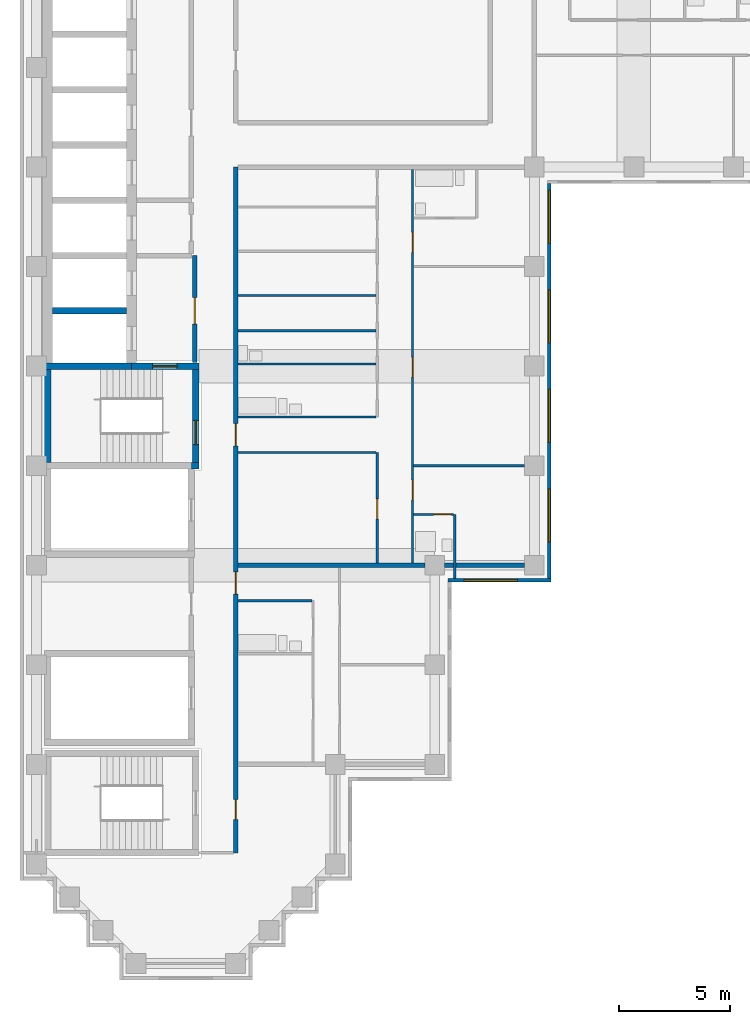
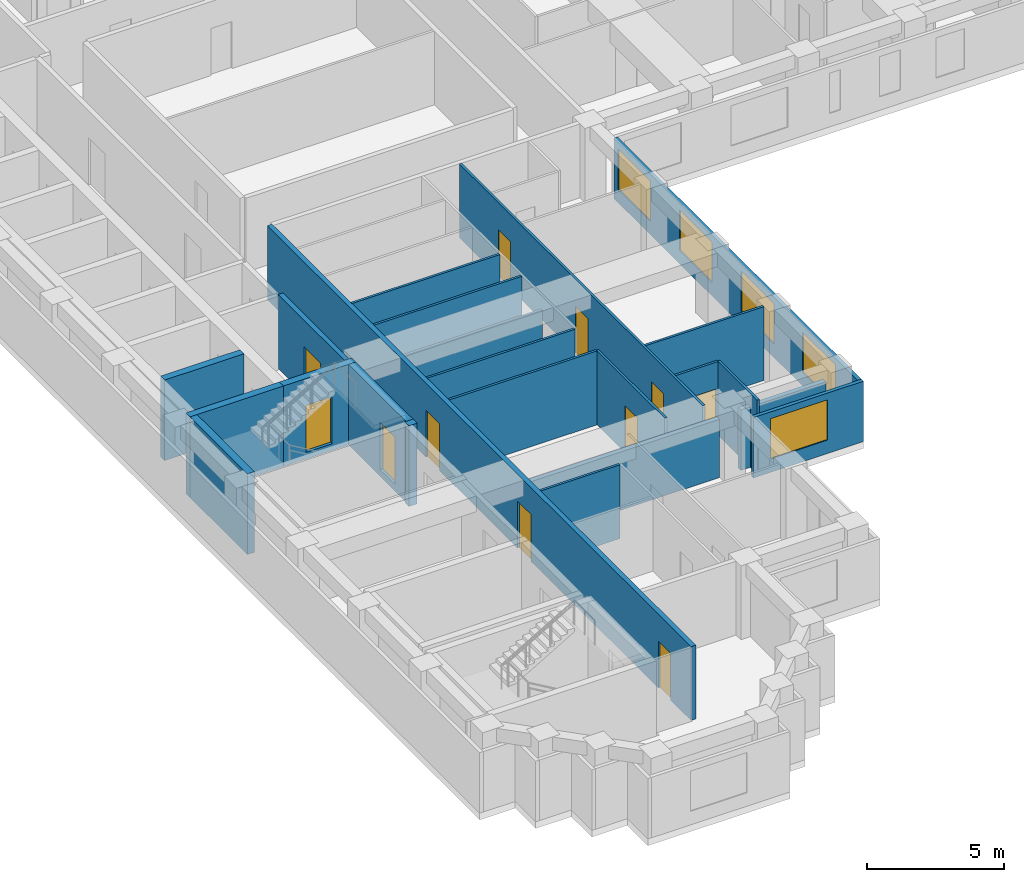
# One storey, part 3 of 10: 23 walls, 11 doors, 5 windows, 16 openings.
"""IFC4 building model written with IfcOpenShell, lengths in metres."""

from ifc_helpers import new_model, si_unit, direction, frame, frame_2d, origin, place, context, subcontext, project, spatial, rectangle, extrude, material, layer, layer_set, type_object, element, fill, save


model = new_model("IFC4")

# Units and contexts
model_context = context("Model", 3, precision=1e-05, world=origin(), true_north=direction((0.0, 1.0)))
body_context = subcontext(model_context, "Body", "Model", "MODEL_VIEW")
ifc_project = project(units=[si_unit("LENGTHUNIT", "METRE"), si_unit("AREAUNIT", "SQUARE_METRE"), si_unit("VOLUMEUNIT", "CUBIC_METRE"), si_unit("PLANEANGLEUNIT", "RADIAN"), si_unit("MASSUNIT", "GRAM", prefix="KILO")], contexts=[model_context])

# Site, building, storey
site_placement = place(None, origin())
site = spatial("IfcSite", under=ifc_project, at=site_placement, CompositionType="ELEMENT")
building_placement = place(site_placement, origin())
building = spatial("IfcBuilding", under=site, at=building_placement, Name="Firuza Court", CompositionType="ELEMENT")
storey_placement = place(building_placement, frame((0.0, 0.0, 204.199951171875)))
storey = spatial("IfcBuildingStorey", under=building, at=storey_placement, Name="L52", CompositionType="ELEMENT", Elevation=204.199951171875)

# Walls
ifc_material_1 = material(Name="Moisture-resistant gypsum board partition")
ifc_layer_1 = layer(ifc_material_1, 0.10009765625)
ifc_layer_set_1 = layer_set([ifc_layer_1], Name="Moisture-resistant gypsum board partition")
wall_type_1 = type_object("IfcWallType", Name="Bathroom partition 100", PredefinedType="PLUMBINGWALL", material=ifc_layer_set_1)
wall_1_placement = place(storey_placement, frame((9.10009765625, 16.39990234375, 0.0), z_axis=(0.0, 0.0, 1.0), x_axis=(1.0, 0.0, 0.0)))
element("IfcWall", 1, at=wall_1_placement, inside=storey, type_object=wall_type_1, Name="Bathroom partition 100 L52", PredefinedType="PLUMBINGWALL", context=body_context, shape_type="SweptSolid", body=[
    extrude(rectangle(XDim=3.349853515625, YDim=0.10009765625, at=frame_2d((1.6748046875, 0.0))), origin(), (0.0, 0.0, 1.0), 3.300048828125),
])
wall_2_placement = place(storey_placement, frame((18.89990234375, 17.39990234375, 0.0), z_axis=(0.0, 0.0, 1.0), x_axis=(0.0, 1.0, 0.0)))
element("IfcWall", 2, at=wall_2_placement, inside=storey, type_object=wall_type_1, Name="Bathroom partition 100 L52", PredefinedType="PLUMBINGWALL", context=body_context, shape_type="SweptSolid", body=[
    extrude(rectangle(XDim=2.900146484375, YDim=0.10009765625, at=frame_2d((1.4501953125, 0.0))), origin(), (0.0, 0.0, 1.0), 3.300048828125),
])

# Wall, opening, door
wall_3_placement = place(storey_placement, frame((17.050048828125, 20.300048828125, 0.0), z_axis=(0.0, 0.0, 1.0), x_axis=(1.0, 0.0, 0.0)))
wall_3 = element("IfcWall", 3, at=wall_3_placement, inside=storey, type_object=wall_type_1, Name="Bathroom partition 100 L52", PredefinedType="PLUMBINGWALL", context=body_context, shape_type="SweptSolid", body=[
    extrude(rectangle(XDim=1.800048828125, YDim=0.10009765625, at=frame_2d((0.89990234375, 0.0))), origin(), (0.0, 0.0, 1.0), 3.300048828125),
])
opening_1_placement = place(wall_3_placement, frame((0.89990234375, 0.0, 0.0)))
opening_1 = element("IfcOpeningElement", 4, at=opening_1_placement, cuts=wall_3, Name="Opening D52028", PredefinedType="OPENING", context=body_context, shape_type="SweptSolid", body=[
    extrude(rectangle(XDim=0.800048828125, YDim=2.10009765625, at=frame_2d((0.39990234375, 1.050048828125))), frame((0.0, 0.06201171875, 0.0), z_axis=(0.0, -1.0, 0.0), x_axis=(1.0, 0.0, 0.0)), (0.0, 0.0, 1.0), 0.1240234375),
])
ifc_material_2 = material(Name="Timber door leaf in hardwood frame", Category="wood")
door_type_1 = type_object("IfcDoorType", Name="Bathroom door 800", OperationType="SINGLE_SWING_LEFT", PredefinedType="DOOR", material=ifc_material_2)
door_1_placement = place(opening_1_placement, frame((0.800048828125, 0.0, 0.0), z_axis=(0.0, 0.0, 1.0), x_axis=(-1.0, 0.0, 0.0)))
door_1 = element("IfcDoor", 5, at=door_1_placement, inside=storey, type_object=door_type_1, Name="En-suite door", OperationType="SINGLE_SWING_LEFT", OverallHeight=2.10009765625, OverallWidth=0.800048828125, PredefinedType="DOOR", context=body_context, shape_type="SweptSolid", body=[
    extrude(rectangle(XDim=0.800048828125, YDim=2.10009765625, at=frame_2d((0.39990234375, 1.050048828125))), frame((0.0, 0.02490234375, 0.0), z_axis=(0.0, -1.0, 0.0), x_axis=(1.0, 0.0, 0.0)), (0.0, 0.0, 1.0), 0.050048828125),
])
fill(opening_1, door_1)

# Walls
wall_4_placement = place(storey_placement, frame((9.10009765625, 24.699951171875, 0.0), z_axis=(0.0, 0.0, 1.0), x_axis=(1.0, 0.0, 0.0)))
element("IfcWall", 6, at=wall_4_placement, inside=storey, type_object=wall_type_1, Name="Bathroom partition 100 L52", PredefinedType="PLUMBINGWALL", context=body_context, shape_type="SweptSolid", body=[
    extrude(rectangle(XDim=6.25, YDim=0.10009765625, at=frame_2d((3.125, 0.0))), origin(), (0.0, 0.0, 1.0), 3.300048828125),
])
wall_5_placement = place(storey_placement, frame((9.10009765625, 27.10009765625, 0.0), z_axis=(0.0, 0.0, 1.0), x_axis=(1.0, 0.0, 0.0)))
element("IfcWall", 7, at=wall_5_placement, inside=storey, type_object=wall_type_1, Name="Bathroom partition 100 L52", PredefinedType="PLUMBINGWALL", context=body_context, shape_type="SweptSolid", body=[
    extrude(rectangle(XDim=6.25, YDim=0.10009765625, at=frame_2d((3.125, 0.0))), origin(), (0.0, 0.0, 1.0), 2.699951171875),
])
wall_6_placement = place(storey_placement, frame((9.10009765625, 28.60009765625, 0.0), z_axis=(0.0, 0.0, 1.0), x_axis=(1.0, 0.0, 0.0)))
element("IfcWall", 8, at=wall_6_placement, inside=storey, type_object=wall_type_1, Name="Bathroom partition 100 L52", PredefinedType="PLUMBINGWALL", context=body_context, shape_type="SweptSolid", body=[
    extrude(rectangle(XDim=6.25, YDim=0.10009765625, at=frame_2d((3.125, 0.0))), origin(), (0.0, 0.0, 1.0), 3.300048828125),
])
ifc_material_3 = material(Name="Concrete C50/60", Category="concrete")
ifc_layer_2 = layer(ifc_material_3, 0.300048828125)
ifc_layer_set_2 = layer_set([ifc_layer_2], Name="Concrete C50/60")
wall_type_2 = type_object("IfcWallType", Name="Core wall 300 C50/60", PredefinedType="SHEAR", material=ifc_layer_set_2)
wall_7_placement = place(storey_placement, frame((0.35009765625, 27.0, -0.300048828125), z_axis=(0.0, 0.0, 1.0), x_axis=(1.0, 0.0, 0.0)))
element("IfcWall", 9, at=wall_7_placement, inside=storey, type_object=wall_type_2, Name="Core wall lift shaft L52", PredefinedType="SHEAR", context=body_context, shape_type="SweptSolid", body=[
    extrude(rectangle(XDim=3.949951171875, YDim=0.300048828125, at=frame_2d((1.97509765625, 0.0))), origin(), (0.0, 0.0, 1.0), 3.60009765625),
])
wall_8_placement = place(storey_placement, frame((0.5, 22.64990234375, -0.300048828125), z_axis=(0.0, 0.0, 1.0), x_axis=(0.0, 1.0, 0.0)))
element("IfcWall", 10, at=wall_8_placement, inside=storey, type_object=wall_type_2, Name="Core wall stair L52", PredefinedType="SHEAR", context=body_context, shape_type="SweptSolid", body=[
    extrude(rectangle(XDim=4.2001953125, YDim=0.300048828125, at=frame_2d((2.10009765625, 0.0))), origin(), (0.0, 0.0, 1.0), 3.60009765625),
])
wall_9_placement = place(storey_placement, frame((0.72509765625, 29.5, -0.300048828125), z_axis=(0.0, 0.0, 1.0), x_axis=(1.0, 0.0, 0.0)))
element("IfcWall", 11, at=wall_9_placement, inside=storey, type_object=wall_type_2, Name="Core wall lift shaft L52", PredefinedType="SHEAR", context=body_context, shape_type="SweptSolid", body=[
    extrude(rectangle(XDim=3.349853515625, YDim=0.300048828125, at=frame_2d((1.6748046875, 0.0))), origin(), (0.0, 0.0, 1.0), 3.60009765625),
])

# Wall, opening, door
wall_10_placement = place(storey_placement, frame((4.300048828125, 27.0, -0.300048828125), z_axis=(0.0, 0.0, 1.0), x_axis=(1.0, 0.0, 0.0)))
wall_10 = element("IfcWall", 12, at=wall_10_placement, inside=storey, type_object=wall_type_2, Name="Core wall stair L52", PredefinedType="SHEAR", context=body_context, shape_type="SweptSolid", body=[
    extrude(rectangle(XDim=3.050048828125, YDim=0.300048828125, at=frame_2d((1.52490234375, 0.0))), origin(), (0.0, 0.0, 1.0), 3.60009765625),
])
opening_2_placement = place(wall_10_placement, frame((0.949951171875, 0.0, 0.300048828125)))
opening_2 = element("IfcOpeningElement", 13, at=opening_2_placement, cuts=wall_10, Name="Opening D52012", PredefinedType="OPENING", context=body_context, shape_type="SweptSolid", body=[
    extrude(rectangle(XDim=1.10009765625, YDim=2.10009765625, at=frame_2d((0.550048828125, 1.050048828125))), frame((0.0, 0.162109375, 0.0), z_axis=(0.0, -1.0, 0.0), x_axis=(1.0, 0.0, 0.0)), (0.0, 0.0, 1.0), 0.323974609375),
])
ifc_material_4 = material(Name="Timber door leaf in hardwood frame", Category="wood")
door_type_2 = type_object("IfcDoorType", Name="Stair door 1100", OperationType="SINGLE_SWING_LEFT", PredefinedType="DOOR", material=ifc_material_4)
door_2_placement = place(opening_2_placement, frame((1.10009765625, 0.0, 0.0), z_axis=(0.0, 0.0, 1.0), x_axis=(-1.0, 0.0, 0.0)))
door_2 = element("IfcDoor", 14, at=door_2_placement, inside=storey, type_object=door_type_2, Name="Fire-fighting lobby door", OperationType="SINGLE_SWING_LEFT", OverallHeight=2.10009765625, OverallWidth=1.10009765625, PredefinedType="DOOR", context=body_context, shape_type="SweptSolid", body=[
    extrude(rectangle(XDim=1.10009765625, YDim=2.10009765625, at=frame_2d((0.550048828125, 1.050048828125))), frame((0.0, 0.02490234375, 0.0), z_axis=(0.0, -1.0, 0.0), x_axis=(1.0, 0.0, 0.0)), (0.0, 0.0, 1.0), 0.050048828125),
])
fill(opening_2, door_2)

# Wall
wall_11_placement = place(storey_placement, frame((7.0, 22.5, -0.300048828125), z_axis=(0.0, 0.0, 1.0), x_axis=(1.0, 0.0, 0.0)))
element("IfcWall", 15, at=wall_11_placement, inside=storey, type_object=wall_type_2, Name="Core wall stair L52", PredefinedType="SHEAR", context=body_context, shape_type="SweptSolid", body=[
    extrude(rectangle(XDim=0.35009765625, YDim=0.300048828125, at=frame_2d((0.175048828125, 0.0))), origin(), (0.0, 0.0, 1.0), 3.60009765625),
])

# Wall, opening, door
wall_12_placement = place(storey_placement, frame((7.199951171875, 22.64990234375, -0.300048828125), z_axis=(0.0, 0.0, 1.0), x_axis=(0.0, 1.0, 0.0)))
wall_12 = element("IfcWall", 16, at=wall_12_placement, inside=storey, type_object=wall_type_2, Name="Core wall stair L52", PredefinedType="SHEAR", context=body_context, shape_type="SweptSolid", body=[
    extrude(rectangle(XDim=4.2001953125, YDim=0.300048828125, at=frame_2d((2.10009765625, 0.0))), origin(), (0.0, 0.0, 1.0), 3.60009765625),
])
opening_3_placement = place(wall_12_placement, frame((0.800048828125, 0.0, 0.300048828125)))
opening_3 = element("IfcOpeningElement", 17, at=opening_3_placement, cuts=wall_12, Name="Opening D52013", PredefinedType="OPENING", context=body_context, shape_type="SweptSolid", body=[
    extrude(rectangle(XDim=1.10009765625, YDim=2.10009765625, at=frame_2d((0.550048828125, 1.050048828125))), frame((0.0, 0.162109375, 0.0), z_axis=(0.0, -1.0, 0.0), x_axis=(1.0, 0.0, 0.0)), (0.0, 0.0, 1.0), 0.323974609375),
])
door_3_placement = place(opening_3_placement, origin())
door_3 = element("IfcDoor", 18, at=door_3_placement, inside=storey, type_object=door_type_2, Name="Stair door S2", OperationType="SINGLE_SWING_LEFT", OverallHeight=2.10009765625, OverallWidth=1.10009765625, PredefinedType="DOOR", context=body_context, shape_type="SweptSolid", body=[
    extrude(rectangle(XDim=1.10009765625, YDim=2.10009765625, at=frame_2d((0.550048828125, 1.050048828125))), frame((0.0, 0.02490234375, 0.0), z_axis=(0.0, -1.0, 0.0), x_axis=(1.0, 0.0, 0.0)), (0.0, 0.0, 1.0), 0.050048828125),
])
fill(opening_3, door_3)

# Wall, openings, doors
ifc_material_5 = material(Name="Blockwork, plastered both sides", Category="masonry")
ifc_layer_3 = layer(ifc_material_5, 0.199951171875)
ifc_layer_set_3 = layer_set([ifc_layer_3], Name="Blockwork, plastered both sides")
wall_type_3 = type_object("IfcWallType", Name="Corridor wall 200", PredefinedType="PARTITIONING", material=ifc_layer_set_3)
wall_13_placement = place(storey_placement, frame((9.0, 5.0, 0.0), z_axis=(0.0, 0.0, 1.0), x_axis=(0.0, 1.0, 0.0)))
wall_13 = element("IfcWall", 19, at=wall_13_placement, inside=storey, type_object=wall_type_3, Name="Corridor wall 200 L52", PredefinedType="PARTITIONING", context=body_context, shape_type="SweptSolid", body=[
    extrude(rectangle(XDim=31.0, YDim=0.199951171875, at=frame_2d((15.5, 0.0))), origin(), (0.0, 0.0, 1.0), 3.300048828125),
])
opening_4_placement = place(wall_13_placement, frame((18.39990234375, 0.0, 0.0)))
opening_4 = element("IfcOpeningElement", 20, at=opening_4_placement, cuts=wall_13, Name="Opening D52016", PredefinedType="OPENING", context=body_context, shape_type="SweptSolid", body=[
    extrude(rectangle(XDim=1.0, YDim=2.10009765625, at=frame_2d((0.5, 1.050048828125))), frame((0.0, 0.11181640625, 0.0), z_axis=(0.0, -1.0, 0.0), x_axis=(1.0, 0.0, 0.0)), (0.0, 0.0, 1.0), 0.223876953125),
])
opening_5_placement = place(wall_13_placement, frame((11.699951171875, 0.0, 0.0)))
opening_5 = element("IfcOpeningElement", 21, at=opening_5_placement, cuts=wall_13, Name="Opening D52017", PredefinedType="OPENING", context=body_context, shape_type="SweptSolid", body=[
    extrude(rectangle(XDim=1.0, YDim=2.10009765625, at=frame_2d((0.5, 1.050048828125))), frame((0.0, 0.11181640625, 0.0), z_axis=(0.0, -1.0, 0.0), x_axis=(1.0, 0.0, 0.0)), (0.0, 0.0, 1.0), 0.223876953125),
])
opening_6_placement = place(wall_13_placement, frame((1.5, 0.0, 0.0)))
opening_6 = element("IfcOpeningElement", 22, at=opening_6_placement, cuts=wall_13, Name="Opening D52018", PredefinedType="OPENING", context=body_context, shape_type="SweptSolid", body=[
    extrude(rectangle(XDim=0.89990234375, YDim=2.10009765625, at=frame_2d((0.449951171875, 1.050048828125))), frame((0.0, 0.11181640625, 0.0), z_axis=(0.0, -1.0, 0.0), x_axis=(1.0, 0.0, 0.0)), (0.0, 0.0, 1.0), 0.223876953125),
])
ifc_material_6 = material(Name="Timber door leaf in hardwood frame", Category="wood")
door_type_3 = type_object("IfcDoorType", Name="Flat entrance door 1000", OperationType="SINGLE_SWING_LEFT", PredefinedType="DOOR", material=ifc_material_6)
door_4_placement = place(opening_4_placement, origin())
door_4 = element("IfcDoor", 23, at=door_4_placement, inside=storey, type_object=door_type_3, Name="Flat entrance door", OperationType="SINGLE_SWING_LEFT", OverallHeight=2.10009765625, OverallWidth=1.0, PredefinedType="DOOR", context=body_context, shape_type="SweptSolid", body=[
    extrude(rectangle(XDim=1.0, YDim=2.10009765625, at=frame_2d((0.5, 1.050048828125))), frame((0.0, 0.02490234375, 0.0), z_axis=(0.0, -1.0, 0.0), x_axis=(1.0, 0.0, 0.0)), (0.0, 0.0, 1.0), 0.050048828125),
])
fill(opening_4, door_4)
door_5_placement = place(opening_5_placement, origin())
door_5 = element("IfcDoor", 24, at=door_5_placement, inside=storey, type_object=door_type_3, Name="Flat entrance door", OperationType="SINGLE_SWING_LEFT", OverallHeight=2.10009765625, OverallWidth=1.0, PredefinedType="DOOR", context=body_context, shape_type="SweptSolid", body=[
    extrude(rectangle(XDim=1.0, YDim=2.10009765625, at=frame_2d((0.5, 1.050048828125))), frame((0.0, 0.02490234375, 0.0), z_axis=(0.0, -1.0, 0.0), x_axis=(1.0, 0.0, 0.0)), (0.0, 0.0, 1.0), 0.050048828125),
])
fill(opening_5, door_5)
ifc_material_7 = material(Name="Timber door leaf in hardwood frame", Category="wood")
door_type_4 = type_object("IfcDoorType", Name="Room door 900 EI 30", OperationType="SINGLE_SWING_LEFT", PredefinedType="DOOR", material=ifc_material_7)
door_6_placement = place(opening_6_placement, frame((0.89990234375, 0.0, 0.0), z_axis=(0.0, 0.0, 1.0), x_axis=(-1.0, 0.0, 0.0)))
door_6 = element("IfcDoor", 25, at=door_6_placement, inside=storey, type_object=door_type_4, Name="Music room door", OperationType="SINGLE_SWING_LEFT", OverallHeight=2.10009765625, OverallWidth=0.89990234375, PredefinedType="DOOR", context=body_context, shape_type="SweptSolid", body=[
    extrude(rectangle(XDim=0.89990234375, YDim=2.10009765625, at=frame_2d((0.449951171875, 1.050048828125))), frame((0.0, 0.02490234375, 0.0), z_axis=(0.0, -1.0, 0.0), x_axis=(1.0, 0.0, 0.0)), (0.0, 0.0, 1.0), 0.050048828125),
])
fill(opening_6, door_6)

# Wall, opening, door
ifc_material_8 = material(Name="Timber stud partition, plasterboard both sides", Category="wood")
ifc_layer_4 = layer(ifc_material_8, 0.10009765625)
ifc_layer_set_4 = layer_set([ifc_layer_4], Name="Timber stud partition, plasterboard both sides")
wall_type_4 = type_object("IfcWallType", Name="Partition wall 100", PredefinedType="PARTITIONING", material=ifc_layer_set_4)
wall_14_placement = place(storey_placement, frame((15.39990234375, 18.10009765625, 0.0), z_axis=(0.0, 0.0, 1.0), x_axis=(0.0, 1.0, 0.0)))
wall_14 = element("IfcWall", 26, at=wall_14_placement, inside=storey, type_object=wall_type_4, Name="Partition wall 100 L52", PredefinedType="PARTITIONING", context=body_context, shape_type="SweptSolid", body=[
    extrude(rectangle(XDim=5.0, YDim=0.10009765625, at=frame_2d((2.5, 0.0))), origin(), (0.0, 0.0, 1.0), 3.300048828125),
])
opening_7_placement = place(wall_14_placement, frame((2.0, 0.0, 0.0)))
opening_7 = element("IfcOpeningElement", 27, at=opening_7_placement, cuts=wall_14, Name="Opening D52024", PredefinedType="OPENING", context=body_context, shape_type="SweptSolid", body=[
    extrude(rectangle(XDim=0.89990234375, YDim=2.10009765625, at=frame_2d((0.449951171875, 1.050048828125))), frame((0.0, 0.06201171875, 0.0), z_axis=(0.0, -1.0, 0.0), x_axis=(1.0, 0.0, 0.0)), (0.0, 0.0, 1.0), 0.1240234375),
])
ifc_material_9 = material(Name="Timber door leaf in hardwood frame", Category="wood")
door_type_5 = type_object("IfcDoorType", Name="Room door 900", OperationType="SINGLE_SWING_LEFT", PredefinedType="DOOR", material=ifc_material_9)
door_7_placement = place(opening_7_placement, origin())
door_7 = element("IfcDoor", 28, at=door_7_placement, inside=storey, type_object=door_type_5, Name="Kitchen door", OperationType="SINGLE_SWING_LEFT", OverallHeight=2.10009765625, OverallWidth=0.89990234375, PredefinedType="DOOR", context=body_context, shape_type="SweptSolid", body=[
    extrude(rectangle(XDim=0.89990234375, YDim=2.10009765625, at=frame_2d((0.449951171875, 1.050048828125))), frame((0.0, 0.02490234375, 0.0), z_axis=(0.0, -1.0, 0.0), x_axis=(1.0, 0.0, 0.0)), (0.0, 0.0, 1.0), 0.050048828125),
])
fill(opening_7, door_7)

# Wall, openings, doors
wall_15_placement = place(storey_placement, frame((17.0, 18.10009765625, 0.0), z_axis=(0.0, 0.0, 1.0), x_axis=(0.0, 1.0, 0.0)))
wall_15 = element("IfcWall", 29, at=wall_15_placement, inside=storey, type_object=wall_type_4, Name="Partition wall 100 L52", PredefinedType="PARTITIONING", context=body_context, shape_type="SweptSolid", body=[
    extrude(rectangle(XDim=17.7998046875, YDim=0.10009765625, at=frame_2d((8.89990234375, 0.0))), origin(), (0.0, 0.0, 1.0), 3.300048828125),
])
opening_8_placement = place(wall_15_placement, frame((2.85009765625, 0.0, 0.0)))
opening_8 = element("IfcOpeningElement", 30, at=opening_8_placement, cuts=wall_15, Name="Opening D52025", PredefinedType="OPENING", context=body_context, shape_type="SweptSolid", body=[
    extrude(rectangle(XDim=0.89990234375, YDim=2.10009765625, at=frame_2d((0.449951171875, 1.050048828125))), frame((0.0, 0.06201171875, 0.0), z_axis=(0.0, -1.0, 0.0), x_axis=(1.0, 0.0, 0.0)), (0.0, 0.0, 1.0), 0.1240234375),
])
opening_9_placement = place(wall_15_placement, frame((8.39990234375, 0.0, 0.0)))
opening_9 = element("IfcOpeningElement", 31, at=opening_9_placement, cuts=wall_15, Name="Opening D52026", PredefinedType="OPENING", context=body_context, shape_type="SweptSolid", body=[
    extrude(rectangle(XDim=0.89990234375, YDim=2.10009765625, at=frame_2d((0.449951171875, 1.050048828125))), frame((0.0, 0.06201171875, 0.0), z_axis=(0.0, -1.0, 0.0), x_axis=(1.0, 0.0, 0.0)), (0.0, 0.0, 1.0), 0.1240234375),
])
opening_10_placement = place(wall_15_placement, frame((14.050048828125, 0.0, 0.0)))
opening_10 = element("IfcOpeningElement", 32, at=opening_10_placement, cuts=wall_15, Name="Opening D52027", PredefinedType="OPENING", context=body_context, shape_type="SweptSolid", body=[
    extrude(rectangle(XDim=0.89990234375, YDim=2.10009765625, at=frame_2d((0.449951171875, 1.050048828125))), frame((0.0, 0.06201171875, 0.0), z_axis=(0.0, -1.0, 0.0), x_axis=(1.0, 0.0, 0.0)), (0.0, 0.0, 1.0), 0.1240234375),
])
door_8_placement = place(opening_8_placement, frame((0.89990234375, 0.0, 0.0), z_axis=(0.0, 0.0, 1.0), x_axis=(-1.0, 0.0, 0.0)))
door_8 = element("IfcDoor", 33, at=door_8_placement, inside=storey, type_object=door_type_5, Name="Bedroom door", OperationType="SINGLE_SWING_RIGHT", OverallHeight=2.10009765625, OverallWidth=0.89990234375, PredefinedType="DOOR", context=body_context, shape_type="SweptSolid", body=[
    extrude(rectangle(XDim=0.89990234375, YDim=2.10009765625, at=frame_2d((0.449951171875, 1.050048828125))), frame((0.0, 0.02490234375, 0.0), z_axis=(0.0, -1.0, 0.0), x_axis=(1.0, 0.0, 0.0)), (0.0, 0.0, 1.0), 0.050048828125),
])
fill(opening_8, door_8)
door_9_placement = place(opening_9_placement, frame((0.89990234375, 0.0, 0.0), z_axis=(0.0, 0.0, 1.0), x_axis=(-1.0, 0.0, 0.0)))
door_9 = element("IfcDoor", 34, at=door_9_placement, inside=storey, type_object=door_type_5, Name="Living room door", OperationType="SINGLE_SWING_RIGHT", OverallHeight=2.10009765625, OverallWidth=0.89990234375, PredefinedType="DOOR", context=body_context, shape_type="SweptSolid", body=[
    extrude(rectangle(XDim=0.89990234375, YDim=2.10009765625, at=frame_2d((0.449951171875, 1.050048828125))), frame((0.0, 0.02490234375, 0.0), z_axis=(0.0, -1.0, 0.0), x_axis=(1.0, 0.0, 0.0)), (0.0, 0.0, 1.0), 0.050048828125),
])
fill(opening_9, door_9)
door_10_placement = place(opening_10_placement, frame((0.89990234375, 0.0, 0.0), z_axis=(0.0, 0.0, 1.0), x_axis=(-1.0, 0.0, 0.0)))
door_10 = element("IfcDoor", 35, at=door_10_placement, inside=storey, type_object=door_type_5, Name="Bedroom door", OperationType="SINGLE_SWING_RIGHT", OverallHeight=2.10009765625, OverallWidth=0.89990234375, PredefinedType="DOOR", context=body_context, shape_type="SweptSolid", body=[
    extrude(rectangle(XDim=0.89990234375, YDim=2.10009765625, at=frame_2d((0.449951171875, 1.050048828125))), frame((0.0, 0.02490234375, 0.0), z_axis=(0.0, -1.0, 0.0), x_axis=(1.0, 0.0, 0.0)), (0.0, 0.0, 1.0), 0.050048828125),
])
fill(opening_10, door_10)

# Walls
wall_16_placement = place(storey_placement, frame((17.050048828125, 22.5, 0.0), z_axis=(0.0, 0.0, 1.0), x_axis=(1.0, 0.0, 0.0)))
element("IfcWall", 36, at=wall_16_placement, inside=storey, type_object=wall_type_4, Name="Partition wall 100 L52", PredefinedType="PARTITIONING", context=body_context, shape_type="SweptSolid", body=[
    extrude(rectangle(XDim=5.0, YDim=0.10009765625, at=frame_2d((2.5, 0.0))), origin(), (0.0, 0.0, 1.0), 3.300048828125),
])
for number, where, z_axis, x_axis, name in (
    (37, (9.10009765625, 23.10009765625, 0.0), (0.0, 0.0, 1.0), (1.0, 0.0, 0.0), "Partition wall 100 L52"),
    (38, (9.10009765625, 30.199951171875, 0.0), (0.0, 0.0, 1.0), (1.0, 0.0, 0.0), "Partition wall 100 L52"),
):
    element("IfcWall", number, at=place(storey_placement, frame(where, z_axis=z_axis, x_axis=x_axis)), inside=storey, type_object=wall_type_4, Name=name, PredefinedType="PARTITIONING", context=body_context, shape_type="SweptSolid", body=[
        extrude(rectangle(XDim=6.25, YDim=0.10009765625, at=frame_2d((3.125, 0.0))), origin(), (0.0, 0.0, 1.0), 3.300048828125),
    ])
ifc_layer_5 = layer(ifc_material_5, 0.199951171875)
ifc_layer_set_5 = layer_set([ifc_layer_5], Name="Blockwork, plastered both sides")
wall_type_5 = type_object("IfcWallType", Name="Party wall 200", PredefinedType="PARTITIONING", material=ifc_layer_set_5)
wall_17_placement = place(storey_placement, frame((9.10009765625, 18.0, 0.0), z_axis=(0.0, 0.0, 1.0), x_axis=(1.0, 0.0, 0.0)))
element("IfcWall", 39, at=wall_17_placement, inside=storey, type_object=wall_type_5, Name="Party wall 200 L52", PredefinedType="PARTITIONING", context=body_context, shape_type="SweptSolid", body=[
    extrude(rectangle(XDim=8.449951171875, YDim=0.199951171875, at=frame_2d((4.22509765625, 0.0))), origin(), (0.0, 0.0, 1.0), 2.60009765625),
])
wall_18_placement = place(storey_placement, frame((18.449951171875, 18.0, 0.0), z_axis=(0.0, 0.0, 1.0), x_axis=(1.0, 0.0, 0.0)))
element("IfcWall", 40, at=wall_18_placement, inside=storey, type_object=wall_type_5, Name="Party wall 200 L52", PredefinedType="PARTITIONING", context=body_context, shape_type="SweptSolid", body=[
    extrude(rectangle(XDim=3.60009765625, YDim=0.199951171875, at=frame_2d((1.800048828125, 0.0))), origin(), (0.0, 0.0, 1.0), 2.699951171875),
])

# Wall, opening, window
ifc_material_10 = material(Name="Ceramic tile", Category="ceramic")
ifc_layer_6 = layer(ifc_material_10, 0.02001953125)
ifc_material_11 = material(Name="Mineral wool insulation", Category="insulation")
ifc_layer_7 = layer(ifc_material_11, 0.050048828125)
ifc_material_12 = material(Name="Concrete C40/50 precast", Category="concrete")
ifc_layer_8 = layer(ifc_material_12, 0.080078125)
ifc_layer_set_6 = layer_set([ifc_layer_6, ifc_layer_7, ifc_layer_8], Name="Concrete C40/50 precast")
wall_type_6 = type_object("IfcWallType", Name="Precast cladding wall with turquoise TILE PANEL face 150", PredefinedType="STANDARD", material=ifc_layer_set_6)
wall_19_placement = place(storey_placement, frame((18.60009765625, 17.324951171875, 0.0), z_axis=(0.0, 0.0, 1.0), x_axis=(1.0, 0.0, 0.0)))
wall_19 = element("IfcWall", 41, at=wall_19_placement, inside=storey, type_object=wall_type_6, Name="Facade wall L52 S", PredefinedType="STANDARD", context=body_context, shape_type="SweptSolid", body=[
    extrude(rectangle(XDim=4.64990234375, YDim=0.14990234375, at=frame_2d((2.324951171875, 0.0))), origin(), (0.0, 0.0, 1.0), 2.699951171875),
])
opening_11_placement = place(wall_19_placement, frame((0.730712890625, 0.0, 0.60009765625)))
opening_11 = element("IfcOpeningElement", 42, at=opening_11_placement, cuts=wall_19, Name="Opening W1", PredefinedType="OPENING", context=body_context, shape_type="SweptSolid", body=[
    extrude(rectangle(XDim=2.39990234375, YDim=1.800048828125, at=frame_2d((1.199951171875, 0.89990234375))), frame((0.0, 0.0869140625, 0.0), z_axis=(0.0, -1.0, 0.0), x_axis=(1.0, 0.0, 0.0)), (0.0, 0.0, 1.0), 0.173828125),
])
ifc_material_13 = material(Name="Aluminium frame, triple clear glazing", Category="aluminium")
window_type = type_object("IfcWindowType", Name="Window W1 2400 x 1800", PartitioningType="SINGLE_PANEL", PredefinedType="WINDOW", material=ifc_material_13)
window_1_placement = place(opening_11_placement, origin())
window_1 = element("IfcWindow", 43, at=window_1_placement, inside=storey, type_object=window_type, Name="Window L52", OverallHeight=1.800048828125, OverallWidth=2.39990234375, PartitioningType="SINGLE_PANEL", PredefinedType="WINDOW", context=body_context, shape_type="SweptSolid", body=[
    extrude(rectangle(XDim=2.39990234375, YDim=1.800048828125, at=frame_2d((1.199951171875, 0.89990234375))), frame((0.0, 0.030029296875, 0.0), z_axis=(0.0, -1.0, 0.0), x_axis=(1.0, 0.0, 0.0)), (0.0, 0.0, 1.0), 0.06005859375),
])
fill(opening_11, window_1)

# Wall, openings, windows
wall_20_placement = place(storey_placement, frame((23.175048828125, 17.39990234375, 0.0), z_axis=(0.0, 0.0, 1.0), x_axis=(0.0, 1.0, 0.0)))
wall_20 = element("IfcWall", 44, at=wall_20_placement, inside=storey, type_object=wall_type_6, Name="Facade wall L52 E", PredefinedType="STANDARD", context=body_context, shape_type="SweptSolid", body=[
    extrude(rectangle(XDim=17.85009765625, YDim=0.14990234375, at=frame_2d((8.925048828125, 0.0))), origin(), (0.0, 0.0, 1.0), 2.699951171875),
])
opening_12_placement = place(wall_20_placement, frame((1.64990234375, 0.0, 0.60009765625)))
opening_12 = element("IfcOpeningElement", 45, at=opening_12_placement, cuts=wall_20, Name="Opening W1", PredefinedType="OPENING", context=body_context, shape_type="SweptSolid", body=[
    extrude(rectangle(XDim=2.39990234375, YDim=1.800048828125, at=frame_2d((1.199951171875, 0.89990234375))), frame((0.0, 0.0869140625, 0.0), z_axis=(0.0, -1.0, 0.0), x_axis=(1.0, 0.0, 0.0)), (0.0, 0.0, 1.0), 0.173828125),
])
opening_13_placement = place(wall_20_placement, frame((6.14990234375, 0.0, 0.60009765625)))
opening_13 = element("IfcOpeningElement", 46, at=opening_13_placement, cuts=wall_20, Name="Opening W1", PredefinedType="OPENING", context=body_context, shape_type="SweptSolid", body=[
    extrude(rectangle(XDim=2.39990234375, YDim=1.800048828125, at=frame_2d((1.199951171875, 0.89990234375))), frame((0.0, 0.0869140625, 0.0), z_axis=(0.0, -1.0, 0.0), x_axis=(1.0, 0.0, 0.0)), (0.0, 0.0, 1.0), 0.173828125),
])
opening_14_placement = place(wall_20_placement, frame((10.64990234375, 0.0, 0.60009765625)))
opening_14 = element("IfcOpeningElement", 47, at=opening_14_placement, cuts=wall_20, Name="Opening W1", PredefinedType="OPENING", context=body_context, shape_type="SweptSolid", body=[
    extrude(rectangle(XDim=2.39990234375, YDim=1.800048828125, at=frame_2d((1.199951171875, 0.89990234375))), frame((0.0, 0.0869140625, 0.0), z_axis=(0.0, -1.0, 0.0), x_axis=(1.0, 0.0, 0.0)), (0.0, 0.0, 1.0), 0.173828125),
])
opening_15_placement = place(wall_20_placement, frame((15.14990234375, 0.0, 0.60009765625)))
opening_15 = element("IfcOpeningElement", 48, at=opening_15_placement, cuts=wall_20, Name="Opening W1", PredefinedType="OPENING", context=body_context, shape_type="SweptSolid", body=[
    extrude(rectangle(XDim=2.39990234375, YDim=1.800048828125, at=frame_2d((1.199951171875, 0.89990234375))), frame((0.0, 0.0869140625, 0.0), z_axis=(0.0, -1.0, 0.0), x_axis=(1.0, 0.0, 0.0)), (0.0, 0.0, 1.0), 0.173828125),
])
window_2_placement = place(opening_12_placement, origin())
window_2 = element("IfcWindow", 49, at=window_2_placement, inside=storey, type_object=window_type, Name="Window L52", OverallHeight=1.800048828125, OverallWidth=2.39990234375, PartitioningType="SINGLE_PANEL", PredefinedType="WINDOW", context=body_context, shape_type="SweptSolid", body=[
    extrude(rectangle(XDim=2.39990234375, YDim=1.800048828125, at=frame_2d((1.199951171875, 0.89990234375))), frame((0.0, 0.030029296875, 0.0), z_axis=(0.0, -1.0, 0.0), x_axis=(1.0, 0.0, 0.0)), (0.0, 0.0, 1.0), 0.06005859375),
])
fill(opening_12, window_2)
window_3_placement = place(opening_13_placement, origin())
window_3 = element("IfcWindow", 50, at=window_3_placement, inside=storey, type_object=window_type, Name="Window L52", OverallHeight=1.800048828125, OverallWidth=2.39990234375, PartitioningType="SINGLE_PANEL", PredefinedType="WINDOW", context=body_context, shape_type="SweptSolid", body=[
    extrude(rectangle(XDim=2.39990234375, YDim=1.800048828125, at=frame_2d((1.199951171875, 0.89990234375))), frame((0.0, 0.030029296875, 0.0), z_axis=(0.0, -1.0, 0.0), x_axis=(1.0, 0.0, 0.0)), (0.0, 0.0, 1.0), 0.06005859375),
])
fill(opening_13, window_3)
window_4_placement = place(opening_14_placement, origin())
window_4 = element("IfcWindow", 51, at=window_4_placement, inside=storey, type_object=window_type, Name="Window L52", OverallHeight=1.800048828125, OverallWidth=2.39990234375, PartitioningType="SINGLE_PANEL", PredefinedType="WINDOW", context=body_context, shape_type="SweptSolid", body=[
    extrude(rectangle(XDim=2.39990234375, YDim=1.800048828125, at=frame_2d((1.199951171875, 0.89990234375))), frame((0.0, 0.030029296875, 0.0), z_axis=(0.0, -1.0, 0.0), x_axis=(1.0, 0.0, 0.0)), (0.0, 0.0, 1.0), 0.06005859375),
])
fill(opening_14, window_4)
window_5_placement = place(opening_15_placement, origin())
window_5 = element("IfcWindow", 52, at=window_5_placement, inside=storey, type_object=window_type, Name="Window L52", OverallHeight=1.800048828125, OverallWidth=2.39990234375, PartitioningType="SINGLE_PANEL", PredefinedType="WINDOW", context=body_context, shape_type="SweptSolid", body=[
    extrude(rectangle(XDim=2.39990234375, YDim=1.800048828125, at=frame_2d((1.199951171875, 0.89990234375))), frame((0.0, 0.030029296875, 0.0), z_axis=(0.0, -1.0, 0.0), x_axis=(1.0, 0.0, 0.0)), (0.0, 0.0, 1.0), 0.06005859375),
])
fill(opening_15, window_5)

# Wall, opening, door
ifc_material_14 = material(Name="Blockwork, fire-rated", Category="masonry")
ifc_layer_9 = layer(ifc_material_14, 0.199951171875)
ifc_layer_set_7 = layer_set([ifc_layer_9], Name="Blockwork, fire-rated")
wall_type_7 = type_object("IfcWallType", Name="Shaft wall 200", PredefinedType="PARTITIONING", material=ifc_layer_set_7)
wall_21_placement = place(storey_placement, frame((7.14990234375, 27.169921875, 0.0), z_axis=(0.0, 0.0, 1.0), x_axis=(0.0, 1.0, 0.0)))
wall_21 = element("IfcWall", 53, at=wall_21_placement, inside=storey, type_object=wall_type_7, Name="Shaft wall 200 L52", PredefinedType="PARTITIONING", context=body_context, shape_type="SweptSolid", body=[
    extrude(rectangle(XDim=4.830078125, YDim=0.199951171875, at=frame_2d((2.4150390625, 0.0))), origin(), (0.0, 0.0, 1.0), 3.300048828125),
])
opening_16_placement = place(wall_21_placement, frame((1.72998046875, 0.0, 0.0)))
opening_16 = element("IfcOpeningElement", 54, at=opening_16_placement, cuts=wall_21, Name="Opening D52002", PredefinedType="OPENING", context=body_context, shape_type="SweptSolid", body=[
    extrude(rectangle(XDim=1.199951171875, YDim=2.10009765625, at=frame_2d((0.60009765625, 1.050048828125))), frame((0.0, 0.11181640625, 0.0), z_axis=(0.0, -1.0, 0.0), x_axis=(1.0, 0.0, 0.0)), (0.0, 0.0, 1.0), 0.223876953125),
])
ifc_material_15 = material(Name="Timber door leaf in hardwood frame", Category="wood")
door_type_6 = type_object("IfcDoorType", Name="Lobby door 1200", OperationType="SINGLE_SWING_LEFT", PredefinedType="DOOR", material=ifc_material_15)
door_11_placement = place(opening_16_placement, origin())
door_11 = element("IfcDoor", 55, at=door_11_placement, inside=storey, type_object=door_type_6, Name="Fire-fighting lobby door", OperationType="SINGLE_SWING_LEFT", OverallHeight=2.10009765625, OverallWidth=1.199951171875, PredefinedType="DOOR", context=body_context, shape_type="SweptSolid", body=[
    extrude(rectangle(XDim=1.199951171875, YDim=2.10009765625, at=frame_2d((0.60009765625, 1.050048828125))), frame((0.0, 0.02490234375, 0.0), z_axis=(0.0, -1.0, 0.0), x_axis=(1.0, 0.0, 0.0)), (0.0, 0.0, 1.0), 0.050048828125),
])
fill(opening_16, door_11)

save(model, "model.ifc")
